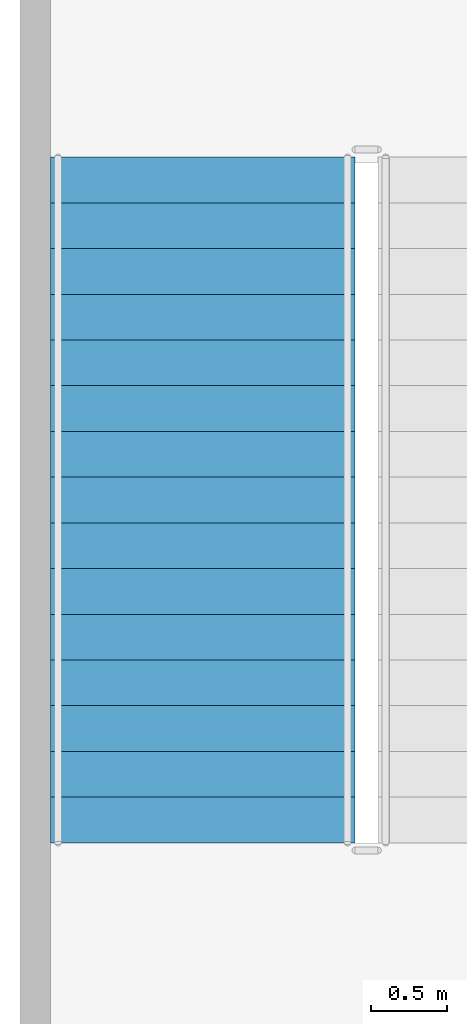
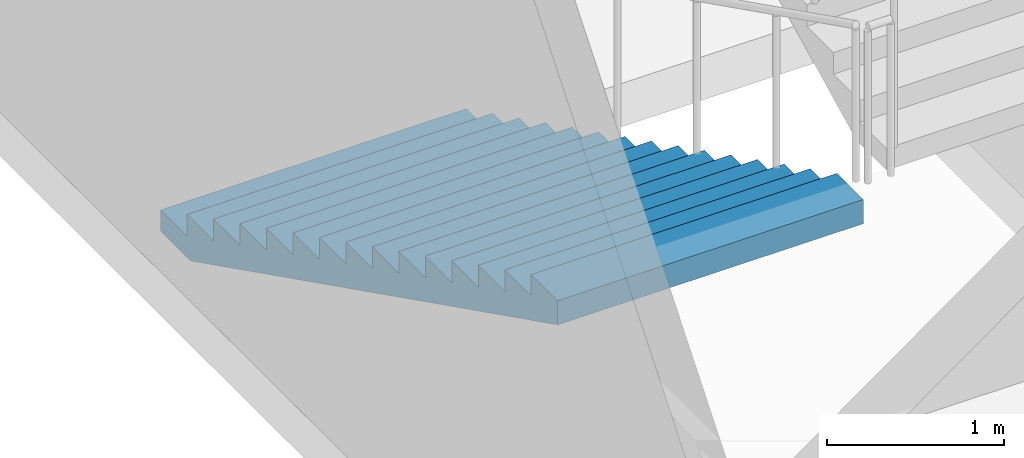
# One storey, part 60 of 86: 1 stair flight, 1 element without a shape of its own.
"""IFC4 building model written with IfcOpenShell, lengths in metres."""

from ifc_helpers import new_model, si_unit, direction, frame, origin, place, context, subcontext, project, spatial, faceted_brep, material, type_object, element, aggregate, save


model = new_model("IFC4")

# Units and contexts
model_context = context("Model", 3, precision=1e-05, world=origin(), true_north=direction((0.0, 1.0)))
body_context = subcontext(model_context, "Body", "Model", "MODEL_VIEW")
ifc_project = project(units=[si_unit("LENGTHUNIT", "METRE"), si_unit("AREAUNIT", "SQUARE_METRE"), si_unit("VOLUMEUNIT", "CUBIC_METRE"), si_unit("PLANEANGLEUNIT", "RADIAN"), si_unit("MASSUNIT", "GRAM", prefix="KILO")], contexts=[model_context])

# Site, building, storey
site_placement = place(None, origin())
site = spatial("IfcSite", under=ifc_project, at=site_placement, CompositionType="ELEMENT")
building_placement = place(site_placement, origin())
building = spatial("IfcBuilding", under=site, at=building_placement, Name="Kiln Court Media Centre", CompositionType="ELEMENT")
storey_placement = place(building_placement, frame((0.0, 0.0, 10.199951171875)))
storey = spatial("IfcBuildingStorey", under=building, at=storey_placement, Name="L02", CompositionType="ELEMENT", Elevation=10.199951171875)

# Stair, stair flight
ifc_material_1 = material(Name="Concrete C40/50", Category="concrete")
stair_type = type_object("IfcStairType", Name="Concrete C40/50 dog-leg stair 2000 wide, 150 riser", PredefinedType="HALF_TURN_STAIR", material=ifc_material_1)
stair_placement = place(storey_placement, origin())
stair = element("IfcStair", 1, at=stair_placement, inside=storey, type_object=stair_type, Name="ST-07 L02", PredefinedType="HALF_TURN_STAIR")
ifc_material_2 = material(Name="Concrete C40/50", Category="concrete")
stair_flight_type = type_object("IfcStairFlightType", Name="Concrete C40/50 stair flight 2000 wide, 150 riser, 300 going", PredefinedType="STRAIGHT", material=ifc_material_2)
stair_flight_placement = place(storey_placement, frame((1.199951171875, 64.39990234375, 0.0), z_axis=(0.0, 0.0, 1.0), x_axis=(0.0, -1.0, 0.0)))
stair_flight = element("IfcStairFlight", 2, at=stair_flight_placement, type_object=stair_flight_type, Name="L02-ST-5006 flight 5012", NumberOfRisers=16, NumberOfTreads=15, PredefinedType="STRAIGHT", RiserHeight=0.15, TreadLength=0.3, context=body_context, shape_type="Brep", body=[
    faceted_brep([(0.335205078125, -1.0, 0.0), (4.5, -1.0, 2.08251953125), (4.5, -1.0, 2.25), (4.199951171875, -1.0, 2.25), (4.199951171875, -1.0, 2.10009765625), (3.89990234375, -1.0, 2.10009765625), (3.89990234375, -1.0, 1.949951171875), (3.60009765625, -1.0, 1.949951171875), (3.60009765625, -1.0, 1.800048828125), (3.300048828125, -1.0, 1.800048828125), (3.300048828125, -1.0, 1.64990234375), (3.0, -1.0, 1.64990234375), (3.0, -1.0, 1.5), (2.699951171875, -1.0, 1.5), (2.699951171875, -1.0, 1.35009765625), (2.39990234375, -1.0, 1.35009765625), (2.39990234375, -1.0, 1.199951171875), (2.10009765625, -1.0, 1.199951171875), (2.10009765625, -1.0, 1.050048828125), (1.800048828125, -1.0, 1.050048828125), (1.800048828125, -1.0, 0.89990234375), (1.5, -1.0, 0.89990234375), (1.5, -1.0, 0.75), (1.199951171875, -1.0, 0.75), (1.199951171875, -1.0, 0.60009765625), (0.89990234375, -1.0, 0.60009765625), (0.89990234375, -1.0, 0.449951171875), (0.60009765625, -1.0, 0.449951171875), (0.60009765625, -1.0, 0.300048828125), (0.300048828125, -1.0, 0.300048828125), (0.300048828125, -1.0, 0.14990234375), (0.0, -1.0, 0.14990234375), (0.0, -1.0, 0.0), (0.0, 1.0, 0.0), (0.0, 1.0, 0.14990234375), (0.300048828125, 1.0, 0.14990234375), (0.300048828125, 1.0, 0.300048828125), (0.60009765625, 1.0, 0.300048828125), (0.60009765625, 1.0, 0.449951171875), (0.89990234375, 1.0, 0.449951171875), (0.89990234375, 1.0, 0.60009765625), (1.199951171875, 1.0, 0.60009765625), (1.199951171875, 1.0, 0.75), (1.5, 1.0, 0.75), (1.5, 1.0, 0.89990234375), (1.800048828125, 1.0, 0.89990234375), (1.800048828125, 1.0, 1.050048828125), (2.10009765625, 1.0, 1.050048828125), (2.10009765625, 1.0, 1.199951171875), (2.39990234375, 1.0, 1.199951171875), (2.39990234375, 1.0, 1.35009765625), (2.699951171875, 1.0, 1.35009765625), (2.699951171875, 1.0, 1.5), (3.0, 1.0, 1.5), (3.0, 1.0, 1.64990234375), (3.300048828125, 1.0, 1.64990234375), (3.300048828125, 1.0, 1.800048828125), (3.60009765625, 1.0, 1.800048828125), (3.60009765625, 1.0, 1.949951171875), (3.89990234375, 1.0, 1.949951171875), (3.89990234375, 1.0, 2.10009765625), (4.199951171875, 1.0, 2.10009765625), (4.199951171875, 1.0, 2.25), (4.5, 1.0, 2.25), (4.5, 1.0, 2.08251953125), (0.335205078125, 1.0, 0.0), (4.5, 0.10009765625, 2.08251953125), (0.335205078125, 0.10009765625, 0.0), (4.5, 0.080078125, 2.08251953125), (0.335205078125, 0.080078125, 0.0), (4.5, 0.06005859375, 2.08251953125), (0.335205078125, 0.06005859375, 0.0), (4.5, 0.0400390625, 2.08251953125), (0.335205078125, 0.0400390625, 0.0), (4.5, 0.02001953125, 2.08251953125), (0.335205078125, 0.02001953125, 0.0), (4.5, 0.0, 2.08251953125), (0.335205078125, 0.0, 0.0), (4.5, -0.02001953125, 2.08251953125), (0.335205078125, -0.02001953125, 0.0), (4.5, -0.0400390625, 2.08251953125), (0.335205078125, -0.0400390625, 0.0), (4.5, -0.06005859375, 2.08251953125), (0.335205078125, -0.06005859375, 0.0), (4.5, -0.080078125, 2.08251953125), (0.335205078125, -0.080078125, 0.0), (4.5, -0.10009765625, 2.08251953125), (0.335205078125, -0.10009765625, 0.0), (4.5, 0.10009765625, 2.25), (4.5, 0.080078125, 2.25), (4.5, 0.06005859375, 2.25), (4.5, 0.0400390625, 2.25), (4.5, 0.02001953125, 2.25), (4.5, 0.0, 2.25), (4.5, -0.02001953125, 2.25), (4.5, -0.0400390625, 2.25), (4.5, -0.06005859375, 2.25), (4.5, -0.080078125, 2.25), (4.5, -0.10009765625, 2.25), (4.199951171875, 0.10009765625, 2.25), (4.199951171875, 0.080078125, 2.25), (4.199951171875, 0.06005859375, 2.25), (4.199951171875, 0.0400390625, 2.25), (4.199951171875, 0.02001953125, 2.25), (4.199951171875, 0.0, 2.25), (4.199951171875, -0.02001953125, 2.25), (4.199951171875, -0.0400390625, 2.25), (4.199951171875, -0.06005859375, 2.25), (4.199951171875, -0.080078125, 2.25), (4.199951171875, -0.10009765625, 2.25), (4.199951171875, 0.10009765625, 2.10009765625), (4.199951171875, 0.080078125, 2.10009765625), (4.199951171875, 0.06005859375, 2.10009765625), (4.199951171875, 0.0400390625, 2.10009765625), (4.199951171875, 0.02001953125, 2.10009765625), (4.199951171875, 0.0, 2.10009765625), (4.199951171875, -0.02001953125, 2.10009765625), (4.199951171875, -0.0400390625, 2.10009765625), (4.199951171875, -0.06005859375, 2.10009765625), (4.199951171875, -0.080078125, 2.10009765625), (4.199951171875, -0.10009765625, 2.10009765625), (3.89990234375, 0.10009765625, 2.10009765625), (3.89990234375, 0.080078125, 2.10009765625), (3.89990234375, 0.06005859375, 2.10009765625), (3.89990234375, 0.0400390625, 2.10009765625), (3.89990234375, 0.02001953125, 2.10009765625), (3.89990234375, 0.0, 2.10009765625), (3.89990234375, -0.02001953125, 2.10009765625), (3.89990234375, -0.0400390625, 2.10009765625), (3.89990234375, -0.06005859375, 2.10009765625), (3.89990234375, -0.080078125, 2.10009765625), (3.89990234375, -0.10009765625, 2.10009765625), (3.89990234375, 0.10009765625, 1.949951171875), (3.89990234375, 0.080078125, 1.949951171875), (3.89990234375, 0.06005859375, 1.949951171875), (3.89990234375, 0.0400390625, 1.949951171875), (3.89990234375, 0.02001953125, 1.949951171875), (3.89990234375, 0.0, 1.949951171875), (3.89990234375, -0.02001953125, 1.949951171875), (3.89990234375, -0.0400390625, 1.949951171875), (3.89990234375, -0.06005859375, 1.949951171875), (3.89990234375, -0.080078125, 1.949951171875), (3.89990234375, -0.10009765625, 1.949951171875), (3.60009765625, 0.10009765625, 1.949951171875), (3.60009765625, 0.080078125, 1.949951171875), (3.60009765625, 0.06005859375, 1.949951171875), (3.60009765625, 0.0400390625, 1.949951171875), (3.60009765625, 0.02001953125, 1.949951171875), (3.60009765625, 0.0, 1.949951171875), (3.60009765625, -0.02001953125, 1.949951171875), (3.60009765625, -0.0400390625, 1.949951171875), (3.60009765625, -0.06005859375, 1.949951171875), (3.60009765625, -0.080078125, 1.949951171875), (3.60009765625, -0.10009765625, 1.949951171875), (3.60009765625, 0.10009765625, 1.800048828125), (3.60009765625, 0.080078125, 1.800048828125), (3.60009765625, 0.06005859375, 1.800048828125), (3.60009765625, 0.0400390625, 1.800048828125), (3.60009765625, 0.02001953125, 1.800048828125), (3.60009765625, 0.0, 1.800048828125), (3.60009765625, -0.02001953125, 1.800048828125), (3.60009765625, -0.0400390625, 1.800048828125), (3.60009765625, -0.06005859375, 1.800048828125), (3.60009765625, -0.080078125, 1.800048828125), (3.60009765625, -0.10009765625, 1.800048828125), (3.300048828125, 0.10009765625, 1.800048828125), (3.300048828125, 0.080078125, 1.800048828125), (3.300048828125, 0.06005859375, 1.800048828125), (3.300048828125, 0.0400390625, 1.800048828125), (3.300048828125, 0.02001953125, 1.800048828125), (3.300048828125, 0.0, 1.800048828125), (3.300048828125, -0.02001953125, 1.800048828125), (3.300048828125, -0.0400390625, 1.800048828125), (3.300048828125, -0.06005859375, 1.800048828125), (3.300048828125, -0.080078125, 1.800048828125), (3.300048828125, -0.10009765625, 1.800048828125), (3.300048828125, 0.10009765625, 1.64990234375), (3.300048828125, 0.080078125, 1.64990234375), (3.300048828125, 0.06005859375, 1.64990234375), (3.300048828125, 0.0400390625, 1.64990234375), (3.300048828125, 0.02001953125, 1.64990234375), (3.300048828125, 0.0, 1.64990234375), (3.300048828125, -0.02001953125, 1.64990234375), (3.300048828125, -0.0400390625, 1.64990234375), (3.300048828125, -0.06005859375, 1.64990234375), (3.300048828125, -0.080078125, 1.64990234375), (3.300048828125, -0.10009765625, 1.64990234375), (3.0, 0.10009765625, 1.64990234375), (3.0, 0.080078125, 1.64990234375), (3.0, 0.06005859375, 1.64990234375), (3.0, 0.0400390625, 1.64990234375), (3.0, 0.02001953125, 1.64990234375), (3.0, 0.0, 1.64990234375), (3.0, -0.02001953125, 1.64990234375), (3.0, -0.0400390625, 1.64990234375), (3.0, -0.06005859375, 1.64990234375), (3.0, -0.080078125, 1.64990234375), (3.0, -0.10009765625, 1.64990234375), (3.0, 0.10009765625, 1.5), (3.0, 0.080078125, 1.5), (3.0, 0.06005859375, 1.5), (3.0, 0.0400390625, 1.5), (3.0, 0.02001953125, 1.5), (3.0, 0.0, 1.5), (3.0, -0.02001953125, 1.5), (3.0, -0.0400390625, 1.5), (3.0, -0.06005859375, 1.5), (3.0, -0.080078125, 1.5), (3.0, -0.10009765625, 1.5), (2.699951171875, 0.10009765625, 1.5), (2.699951171875, 0.080078125, 1.5), (2.699951171875, 0.06005859375, 1.5), (2.699951171875, 0.0400390625, 1.5), (2.699951171875, 0.02001953125, 1.5), (2.699951171875, 0.0, 1.5), (2.699951171875, -0.02001953125, 1.5), (2.699951171875, -0.0400390625, 1.5), (2.699951171875, -0.06005859375, 1.5), (2.699951171875, -0.080078125, 1.5), (2.699951171875, -0.10009765625, 1.5), (2.699951171875, 0.10009765625, 1.35009765625), (2.699951171875, 0.080078125, 1.35009765625), (2.699951171875, 0.06005859375, 1.35009765625), (2.699951171875, 0.0400390625, 1.35009765625), (2.699951171875, 0.02001953125, 1.35009765625), (2.699951171875, 0.0, 1.35009765625), (2.699951171875, -0.02001953125, 1.35009765625), (2.699951171875, -0.0400390625, 1.35009765625), (2.699951171875, -0.06005859375, 1.35009765625), (2.699951171875, -0.080078125, 1.35009765625), (2.699951171875, -0.10009765625, 1.35009765625), (2.39990234375, 0.10009765625, 1.35009765625), (2.39990234375, 0.080078125, 1.35009765625), (2.39990234375, 0.06005859375, 1.35009765625), (2.39990234375, 0.0400390625, 1.35009765625), (2.39990234375, 0.02001953125, 1.35009765625), (2.39990234375, 0.0, 1.35009765625), (2.39990234375, -0.02001953125, 1.35009765625), (2.39990234375, -0.0400390625, 1.35009765625), (2.39990234375, -0.06005859375, 1.35009765625), (2.39990234375, -0.080078125, 1.35009765625), (2.39990234375, -0.10009765625, 1.35009765625), (2.39990234375, 0.10009765625, 1.199951171875), (2.39990234375, 0.080078125, 1.199951171875), (2.39990234375, 0.06005859375, 1.199951171875), (2.39990234375, 0.0400390625, 1.199951171875), (2.39990234375, 0.02001953125, 1.199951171875), (2.39990234375, 0.0, 1.199951171875), (2.39990234375, -0.02001953125, 1.199951171875), (2.39990234375, -0.0400390625, 1.199951171875), (2.39990234375, -0.06005859375, 1.199951171875), (2.39990234375, -0.080078125, 1.199951171875), (2.39990234375, -0.10009765625, 1.199951171875), (2.10009765625, 0.10009765625, 1.199951171875), (2.10009765625, 0.080078125, 1.199951171875), (2.10009765625, 0.06005859375, 1.199951171875), (2.10009765625, 0.0400390625, 1.199951171875), (2.10009765625, 0.02001953125, 1.199951171875), (2.10009765625, 0.0, 1.199951171875), (2.10009765625, -0.02001953125, 1.199951171875), (2.10009765625, -0.0400390625, 1.199951171875), (2.10009765625, -0.06005859375, 1.199951171875), (2.10009765625, -0.080078125, 1.199951171875), (2.10009765625, -0.10009765625, 1.199951171875), (2.10009765625, 0.10009765625, 1.050048828125), (2.10009765625, 0.080078125, 1.050048828125), (2.10009765625, 0.06005859375, 1.050048828125), (2.10009765625, 0.0400390625, 1.050048828125), (2.10009765625, 0.02001953125, 1.050048828125), (2.10009765625, 0.0, 1.050048828125), (2.10009765625, -0.02001953125, 1.050048828125), (2.10009765625, -0.0400390625, 1.050048828125), (2.10009765625, -0.06005859375, 1.050048828125), (2.10009765625, -0.080078125, 1.050048828125), (2.10009765625, -0.10009765625, 1.050048828125), (1.800048828125, 0.10009765625, 1.050048828125), (1.800048828125, 0.080078125, 1.050048828125), (1.800048828125, 0.06005859375, 1.050048828125), (1.800048828125, 0.0400390625, 1.050048828125), (1.800048828125, 0.02001953125, 1.050048828125), (1.800048828125, 0.0, 1.050048828125), (1.800048828125, -0.02001953125, 1.050048828125), (1.800048828125, -0.0400390625, 1.050048828125), (1.800048828125, -0.06005859375, 1.050048828125), (1.800048828125, -0.080078125, 1.050048828125), (1.800048828125, -0.10009765625, 1.050048828125), (1.800048828125, 0.10009765625, 0.89990234375), (1.800048828125, 0.080078125, 0.89990234375), (1.800048828125, 0.06005859375, 0.89990234375), (1.800048828125, 0.0400390625, 0.89990234375), (1.800048828125, 0.02001953125, 0.89990234375), (1.800048828125, 0.0, 0.89990234375), (1.800048828125, -0.02001953125, 0.89990234375), (1.800048828125, -0.0400390625, 0.89990234375), (1.800048828125, -0.06005859375, 0.89990234375), (1.800048828125, -0.080078125, 0.89990234375), (1.800048828125, -0.10009765625, 0.89990234375), (1.5, 0.10009765625, 0.89990234375), (1.5, 0.080078125, 0.89990234375), (1.5, 0.06005859375, 0.89990234375), (1.5, 0.0400390625, 0.89990234375), (1.5, 0.02001953125, 0.89990234375), (1.5, 0.0, 0.89990234375), (1.5, -0.02001953125, 0.89990234375), (1.5, -0.0400390625, 0.89990234375), (1.5, -0.06005859375, 0.89990234375), (1.5, -0.080078125, 0.89990234375), (1.5, -0.10009765625, 0.89990234375), (1.5, 0.10009765625, 0.75), (1.5, 0.080078125, 0.75), (1.5, 0.06005859375, 0.75), (1.5, 0.0400390625, 0.75), (1.5, 0.02001953125, 0.75), (1.5, 0.0, 0.75), (1.5, -0.02001953125, 0.75), (1.5, -0.0400390625, 0.75), (1.5, -0.06005859375, 0.75), (1.5, -0.080078125, 0.75), (1.5, -0.10009765625, 0.75), (1.199951171875, 0.10009765625, 0.75), (1.199951171875, 0.080078125, 0.75), (1.199951171875, 0.06005859375, 0.75), (1.199951171875, 0.0400390625, 0.75), (1.199951171875, 0.02001953125, 0.75), (1.199951171875, 0.0, 0.75), (1.199951171875, -0.02001953125, 0.75), (1.199951171875, -0.0400390625, 0.75), (1.199951171875, -0.06005859375, 0.75), (1.199951171875, -0.080078125, 0.75), (1.199951171875, -0.10009765625, 0.75), (1.199951171875, 0.10009765625, 0.60009765625), (1.199951171875, 0.080078125, 0.60009765625), (1.199951171875, 0.06005859375, 0.60009765625), (1.199951171875, 0.0400390625, 0.60009765625), (1.199951171875, 0.02001953125, 0.60009765625), (1.199951171875, 0.0, 0.60009765625), (1.199951171875, -0.02001953125, 0.60009765625), (1.199951171875, -0.0400390625, 0.60009765625), (1.199951171875, -0.06005859375, 0.60009765625), (1.199951171875, -0.080078125, 0.60009765625), (1.199951171875, -0.10009765625, 0.60009765625), (0.89990234375, 0.10009765625, 0.60009765625), (0.89990234375, 0.080078125, 0.60009765625), (0.89990234375, 0.06005859375, 0.60009765625), (0.89990234375, 0.0400390625, 0.60009765625), (0.89990234375, 0.02001953125, 0.60009765625), (0.89990234375, 0.0, 0.60009765625), (0.89990234375, -0.02001953125, 0.60009765625), (0.89990234375, -0.0400390625, 0.60009765625), (0.89990234375, -0.06005859375, 0.60009765625), (0.89990234375, -0.080078125, 0.60009765625), (0.89990234375, -0.10009765625, 0.60009765625), (0.89990234375, 0.10009765625, 0.449951171875), (0.89990234375, 0.080078125, 0.449951171875), (0.89990234375, 0.06005859375, 0.449951171875), (0.89990234375, 0.0400390625, 0.449951171875), (0.89990234375, 0.02001953125, 0.449951171875), (0.89990234375, 0.0, 0.449951171875), (0.89990234375, -0.02001953125, 0.449951171875), (0.89990234375, -0.0400390625, 0.449951171875), (0.89990234375, -0.06005859375, 0.449951171875), (0.89990234375, -0.080078125, 0.449951171875), (0.89990234375, -0.10009765625, 0.449951171875), (0.60009765625, 0.10009765625, 0.449951171875), (0.60009765625, 0.080078125, 0.449951171875), (0.60009765625, 0.06005859375, 0.449951171875), (0.60009765625, 0.0400390625, 0.449951171875), (0.60009765625, 0.02001953125, 0.449951171875), (0.60009765625, 0.0, 0.449951171875), (0.60009765625, -0.02001953125, 0.449951171875), (0.60009765625, -0.0400390625, 0.449951171875), (0.60009765625, -0.06005859375, 0.449951171875), (0.60009765625, -0.080078125, 0.449951171875), (0.60009765625, -0.10009765625, 0.449951171875), (0.60009765625, 0.10009765625, 0.300048828125), (0.60009765625, 0.080078125, 0.300048828125), (0.60009765625, 0.06005859375, 0.300048828125), (0.60009765625, 0.0400390625, 0.300048828125), (0.60009765625, 0.02001953125, 0.300048828125), (0.60009765625, 0.0, 0.300048828125), (0.60009765625, -0.02001953125, 0.300048828125), (0.60009765625, -0.0400390625, 0.300048828125), (0.60009765625, -0.06005859375, 0.300048828125), (0.60009765625, -0.080078125, 0.300048828125), (0.60009765625, -0.10009765625, 0.300048828125), (0.300048828125, 0.10009765625, 0.300048828125), (0.300048828125, 0.080078125, 0.300048828125), (0.300048828125, 0.06005859375, 0.300048828125), (0.300048828125, 0.0400390625, 0.300048828125), (0.300048828125, 0.02001953125, 0.300048828125), (0.300048828125, 0.0, 0.300048828125), (0.300048828125, -0.02001953125, 0.300048828125), (0.300048828125, -0.0400390625, 0.300048828125), (0.300048828125, -0.06005859375, 0.300048828125), (0.300048828125, -0.080078125, 0.300048828125), (0.300048828125, -0.10009765625, 0.300048828125), (0.300048828125, 0.10009765625, 0.14990234375), (0.300048828125, 0.080078125, 0.14990234375), (0.300048828125, 0.06005859375, 0.14990234375), (0.300048828125, 0.0400390625, 0.14990234375), (0.300048828125, 0.02001953125, 0.14990234375), (0.300048828125, 0.0, 0.14990234375), (0.300048828125, -0.02001953125, 0.14990234375), (0.300048828125, -0.0400390625, 0.14990234375), (0.300048828125, -0.06005859375, 0.14990234375), (0.300048828125, -0.080078125, 0.14990234375), (0.300048828125, -0.10009765625, 0.14990234375), (0.0, 0.10009765625, 0.14990234375), (0.0, 0.080078125, 0.14990234375), (0.0, 0.06005859375, 0.14990234375), (0.0, 0.0400390625, 0.14990234375), (0.0, 0.02001953125, 0.14990234375), (0.0, 0.0, 0.14990234375), (0.0, -0.02001953125, 0.14990234375), (0.0, -0.0400390625, 0.14990234375), (0.0, -0.06005859375, 0.14990234375), (0.0, -0.080078125, 0.14990234375), (0.0, -0.10009765625, 0.14990234375), (0.0, 0.10009765625, 0.0), (0.0, 0.080078125, 0.0), (0.0, 0.06005859375, 0.0), (0.0, 0.0400390625, 0.0), (0.0, 0.02001953125, 0.0), (0.0, 0.0, 0.0), (0.0, -0.02001953125, 0.0), (0.0, -0.0400390625, 0.0), (0.0, -0.06005859375, 0.0), (0.0, -0.080078125, 0.0), (0.0, -0.10009765625, 0.0)], [[[0, 1, 2, 3, 4, 5, 6, 7, 8, 9, 10, 11, 12, 13, 14, 15, 16, 17, 18, 19, 20, 21, 22, 23, 24, 25, 26, 27, 28, 29, 30, 31, 32]], [[33, 34, 35, 36, 37, 38, 39, 40, 41, 42, 43, 44, 45, 46, 47, 48, 49, 50, 51, 52, 53, 54, 55, 56, 57, 58, 59, 60, 61, 62, 63, 64, 65]], [[65, 64, 66, 67]], [[67, 66, 68, 69]], [[69, 68, 70, 71]], [[71, 70, 72, 73]], [[73, 72, 74, 75]], [[75, 74, 76, 77]], [[77, 76, 78, 79]], [[79, 78, 80, 81]], [[81, 80, 82, 83]], [[83, 82, 84, 85]], [[85, 84, 86, 87]], [[87, 86, 1, 0]], [[64, 63, 88, 66]], [[66, 88, 89, 68]], [[68, 89, 90, 70]], [[70, 90, 91, 72]], [[72, 91, 92, 74]], [[74, 92, 93, 76]], [[76, 93, 94, 78]], [[78, 94, 95, 80]], [[80, 95, 96, 82]], [[82, 96, 97, 84]], [[84, 97, 98, 86]], [[86, 98, 2, 1]], [[63, 62, 99, 88]], [[88, 99, 100, 89]], [[89, 100, 101, 90]], [[90, 101, 102, 91]], [[91, 102, 103, 92]], [[92, 103, 104, 93]], [[93, 104, 105, 94]], [[94, 105, 106, 95]], [[95, 106, 107, 96]], [[96, 107, 108, 97]], [[97, 108, 109, 98]], [[98, 109, 3, 2]], [[62, 61, 110, 99]], [[99, 110, 111, 100]], [[100, 111, 112, 101]], [[101, 112, 113, 102]], [[102, 113, 114, 103]], [[103, 114, 115, 104]], [[104, 115, 116, 105]], [[105, 116, 117, 106]], [[106, 117, 118, 107]], [[107, 118, 119, 108]], [[108, 119, 120, 109]], [[109, 120, 4, 3]], [[61, 60, 121, 110]], [[110, 121, 122, 111]], [[111, 122, 123, 112]], [[112, 123, 124, 113]], [[113, 124, 125, 114]], [[114, 125, 126, 115]], [[115, 126, 127, 116]], [[116, 127, 128, 117]], [[117, 128, 129, 118]], [[118, 129, 130, 119]], [[119, 130, 131, 120]], [[120, 131, 5, 4]], [[60, 59, 132, 121]], [[121, 132, 133, 122]], [[122, 133, 134, 123]], [[123, 134, 135, 124]], [[124, 135, 136, 125]], [[125, 136, 137, 126]], [[126, 137, 138, 127]], [[127, 138, 139, 128]], [[128, 139, 140, 129]], [[129, 140, 141, 130]], [[130, 141, 142, 131]], [[131, 142, 6, 5]], [[59, 58, 143, 132]], [[132, 143, 144, 133]], [[133, 144, 145, 134]], [[134, 145, 146, 135]], [[135, 146, 147, 136]], [[136, 147, 148, 137]], [[137, 148, 149, 138]], [[138, 149, 150, 139]], [[139, 150, 151, 140]], [[140, 151, 152, 141]], [[141, 152, 153, 142]], [[142, 153, 7, 6]], [[58, 57, 154, 143]], [[143, 154, 155, 144]], [[144, 155, 156, 145]], [[145, 156, 157, 146]], [[146, 157, 158, 147]], [[147, 158, 159, 148]], [[148, 159, 160, 149]], [[149, 160, 161, 150]], [[150, 161, 162, 151]], [[151, 162, 163, 152]], [[152, 163, 164, 153]], [[153, 164, 8, 7]], [[57, 56, 165, 154]], [[154, 165, 166, 155]], [[155, 166, 167, 156]], [[156, 167, 168, 157]], [[157, 168, 169, 158]], [[158, 169, 170, 159]], [[159, 170, 171, 160]], [[160, 171, 172, 161]], [[161, 172, 173, 162]], [[162, 173, 174, 163]], [[163, 174, 175, 164]], [[164, 175, 9, 8]], [[56, 55, 176, 165]], [[165, 176, 177, 166]], [[166, 177, 178, 167]], [[167, 178, 179, 168]], [[168, 179, 180, 169]], [[169, 180, 181, 170]], [[170, 181, 182, 171]], [[171, 182, 183, 172]], [[172, 183, 184, 173]], [[173, 184, 185, 174]], [[174, 185, 186, 175]], [[175, 186, 10, 9]], [[55, 54, 187, 176]], [[176, 187, 188, 177]], [[177, 188, 189, 178]], [[178, 189, 190, 179]], [[179, 190, 191, 180]], [[180, 191, 192, 181]], [[181, 192, 193, 182]], [[182, 193, 194, 183]], [[183, 194, 195, 184]], [[184, 195, 196, 185]], [[185, 196, 197, 186]], [[186, 197, 11, 10]], [[54, 53, 198, 187]], [[187, 198, 199, 188]], [[188, 199, 200, 189]], [[189, 200, 201, 190]], [[190, 201, 202, 191]], [[191, 202, 203, 192]], [[192, 203, 204, 193]], [[193, 204, 205, 194]], [[194, 205, 206, 195]], [[195, 206, 207, 196]], [[196, 207, 208, 197]], [[197, 208, 12, 11]], [[53, 52, 209, 198]], [[198, 209, 210, 199]], [[199, 210, 211, 200]], [[200, 211, 212, 201]], [[201, 212, 213, 202]], [[202, 213, 214, 203]], [[203, 214, 215, 204]], [[204, 215, 216, 205]], [[205, 216, 217, 206]], [[206, 217, 218, 207]], [[207, 218, 219, 208]], [[208, 219, 13, 12]], [[52, 51, 220, 209]], [[209, 220, 221, 210]], [[210, 221, 222, 211]], [[211, 222, 223, 212]], [[212, 223, 224, 213]], [[213, 224, 225, 214]], [[214, 225, 226, 215]], [[215, 226, 227, 216]], [[216, 227, 228, 217]], [[217, 228, 229, 218]], [[218, 229, 230, 219]], [[219, 230, 14, 13]], [[51, 50, 231, 220]], [[220, 231, 232, 221]], [[221, 232, 233, 222]], [[222, 233, 234, 223]], [[223, 234, 235, 224]], [[224, 235, 236, 225]], [[225, 236, 237, 226]], [[226, 237, 238, 227]], [[227, 238, 239, 228]], [[228, 239, 240, 229]], [[229, 240, 241, 230]], [[230, 241, 15, 14]], [[50, 49, 242, 231]], [[231, 242, 243, 232]], [[232, 243, 244, 233]], [[233, 244, 245, 234]], [[234, 245, 246, 235]], [[235, 246, 247, 236]], [[236, 247, 248, 237]], [[237, 248, 249, 238]], [[238, 249, 250, 239]], [[239, 250, 251, 240]], [[240, 251, 252, 241]], [[241, 252, 16, 15]], [[49, 48, 253, 242]], [[242, 253, 254, 243]], [[243, 254, 255, 244]], [[244, 255, 256, 245]], [[245, 256, 257, 246]], [[246, 257, 258, 247]], [[247, 258, 259, 248]], [[248, 259, 260, 249]], [[249, 260, 261, 250]], [[250, 261, 262, 251]], [[251, 262, 263, 252]], [[252, 263, 17, 16]], [[48, 47, 264, 253]], [[253, 264, 265, 254]], [[254, 265, 266, 255]], [[255, 266, 267, 256]], [[256, 267, 268, 257]], [[257, 268, 269, 258]], [[258, 269, 270, 259]], [[259, 270, 271, 260]], [[260, 271, 272, 261]], [[261, 272, 273, 262]], [[262, 273, 274, 263]], [[263, 274, 18, 17]], [[47, 46, 275, 264]], [[264, 275, 276, 265]], [[265, 276, 277, 266]], [[266, 277, 278, 267]], [[267, 278, 279, 268]], [[268, 279, 280, 269]], [[269, 280, 281, 270]], [[270, 281, 282, 271]], [[271, 282, 283, 272]], [[272, 283, 284, 273]], [[273, 284, 285, 274]], [[274, 285, 19, 18]], [[46, 45, 286, 275]], [[275, 286, 287, 276]], [[276, 287, 288, 277]], [[277, 288, 289, 278]], [[278, 289, 290, 279]], [[279, 290, 291, 280]], [[280, 291, 292, 281]], [[281, 292, 293, 282]], [[282, 293, 294, 283]], [[283, 294, 295, 284]], [[284, 295, 296, 285]], [[285, 296, 20, 19]], [[45, 44, 297, 286]], [[286, 297, 298, 287]], [[287, 298, 299, 288]], [[288, 299, 300, 289]], [[289, 300, 301, 290]], [[290, 301, 302, 291]], [[291, 302, 303, 292]], [[292, 303, 304, 293]], [[293, 304, 305, 294]], [[294, 305, 306, 295]], [[295, 306, 307, 296]], [[296, 307, 21, 20]], [[44, 43, 308, 297]], [[297, 308, 309, 298]], [[298, 309, 310, 299]], [[299, 310, 311, 300]], [[300, 311, 312, 301]], [[301, 312, 313, 302]], [[302, 313, 314, 303]], [[303, 314, 315, 304]], [[304, 315, 316, 305]], [[305, 316, 317, 306]], [[306, 317, 318, 307]], [[307, 318, 22, 21]], [[43, 42, 319, 308]], [[308, 319, 320, 309]], [[309, 320, 321, 310]], [[310, 321, 322, 311]], [[311, 322, 323, 312]], [[312, 323, 324, 313]], [[313, 324, 325, 314]], [[314, 325, 326, 315]], [[315, 326, 327, 316]], [[316, 327, 328, 317]], [[317, 328, 329, 318]], [[318, 329, 23, 22]], [[42, 41, 330, 319]], [[319, 330, 331, 320]], [[320, 331, 332, 321]], [[321, 332, 333, 322]], [[322, 333, 334, 323]], [[323, 334, 335, 324]], [[324, 335, 336, 325]], [[325, 336, 337, 326]], [[326, 337, 338, 327]], [[327, 338, 339, 328]], [[328, 339, 340, 329]], [[329, 340, 24, 23]], [[41, 40, 341, 330]], [[330, 341, 342, 331]], [[331, 342, 343, 332]], [[332, 343, 344, 333]], [[333, 344, 345, 334]], [[334, 345, 346, 335]], [[335, 346, 347, 336]], [[336, 347, 348, 337]], [[337, 348, 349, 338]], [[338, 349, 350, 339]], [[339, 350, 351, 340]], [[340, 351, 25, 24]], [[40, 39, 352, 341]], [[341, 352, 353, 342]], [[342, 353, 354, 343]], [[343, 354, 355, 344]], [[344, 355, 356, 345]], [[345, 356, 357, 346]], [[346, 357, 358, 347]], [[347, 358, 359, 348]], [[348, 359, 360, 349]], [[349, 360, 361, 350]], [[350, 361, 362, 351]], [[351, 362, 26, 25]], [[39, 38, 363, 352]], [[352, 363, 364, 353]], [[353, 364, 365, 354]], [[354, 365, 366, 355]], [[355, 366, 367, 356]], [[356, 367, 368, 357]], [[357, 368, 369, 358]], [[358, 369, 370, 359]], [[359, 370, 371, 360]], [[360, 371, 372, 361]], [[361, 372, 373, 362]], [[362, 373, 27, 26]], [[38, 37, 374, 363]], [[363, 374, 375, 364]], [[364, 375, 376, 365]], [[365, 376, 377, 366]], [[366, 377, 378, 367]], [[367, 378, 379, 368]], [[368, 379, 380, 369]], [[369, 380, 381, 370]], [[370, 381, 382, 371]], [[371, 382, 383, 372]], [[372, 383, 384, 373]], [[373, 384, 28, 27]], [[37, 36, 385, 374]], [[374, 385, 386, 375]], [[375, 386, 387, 376]], [[376, 387, 388, 377]], [[377, 388, 389, 378]], [[378, 389, 390, 379]], [[379, 390, 391, 380]], [[380, 391, 392, 381]], [[381, 392, 393, 382]], [[382, 393, 394, 383]], [[383, 394, 395, 384]], [[384, 395, 29, 28]], [[36, 35, 396, 385]], [[385, 396, 397, 386]], [[386, 397, 398, 387]], [[387, 398, 399, 388]], [[388, 399, 400, 389]], [[389, 400, 401, 390]], [[390, 401, 402, 391]], [[391, 402, 403, 392]], [[392, 403, 404, 393]], [[393, 404, 405, 394]], [[394, 405, 406, 395]], [[395, 406, 30, 29]], [[35, 34, 407, 396]], [[396, 407, 408, 397]], [[397, 408, 409, 398]], [[398, 409, 410, 399]], [[399, 410, 411, 400]], [[400, 411, 412, 401]], [[401, 412, 413, 402]], [[402, 413, 414, 403]], [[403, 414, 415, 404]], [[404, 415, 416, 405]], [[405, 416, 417, 406]], [[406, 417, 31, 30]], [[34, 33, 418, 407]], [[407, 418, 419, 408]], [[408, 419, 420, 409]], [[409, 420, 421, 410]], [[410, 421, 422, 411]], [[411, 422, 423, 412]], [[412, 423, 424, 413]], [[413, 424, 425, 414]], [[414, 425, 426, 415]], [[415, 426, 427, 416]], [[416, 427, 428, 417]], [[417, 428, 32, 31]], [[33, 65, 67, 418]], [[418, 67, 69, 419]], [[419, 69, 71, 420]], [[420, 71, 73, 421]], [[421, 73, 75, 422]], [[422, 75, 77, 423]], [[423, 77, 79, 424]], [[424, 79, 81, 425]], [[425, 81, 83, 426]], [[426, 83, 85, 427]], [[427, 85, 87, 428]], [[428, 87, 0, 32]]]),
])
aggregate(stair, [stair_flight])

save(model, "model.ifc")
